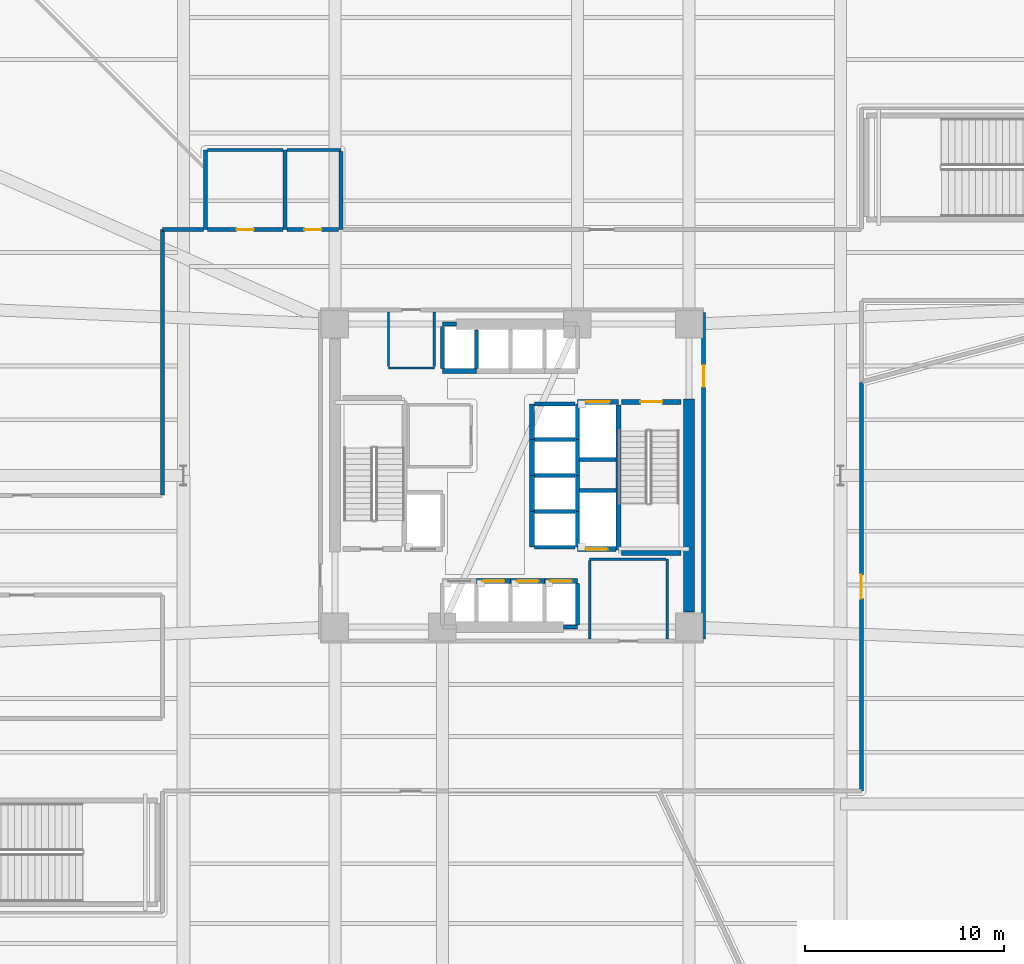
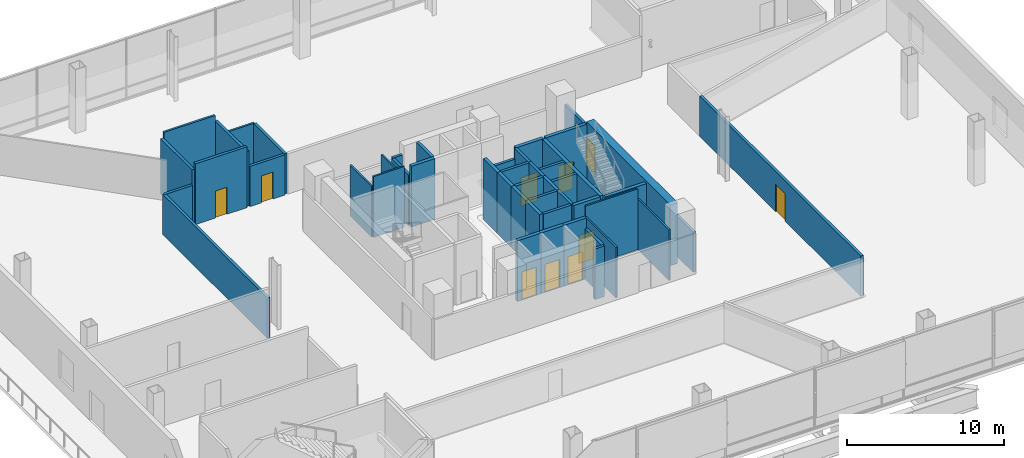
# One storey, part 11 of 20: 47 walls, 10 doors, 10 openings.
"""IFC4 building model written with IfcOpenShell, lengths in metres."""

from ifc_helpers import new_model, si_unit, direction, frame, frame_2d, origin, place, context, subcontext, project, spatial, rectangle, extrude, material, layer, layer_set, type_object, element, fill, save


model = new_model("IFC4")

# Units and contexts
model_context = context("Model", 3, precision=1e-05, world=origin(), true_north=direction((0.0, 1.0)))
body_context = subcontext(model_context, "Body", "Model", "MODEL_VIEW")
ifc_project = project(units=[si_unit("LENGTHUNIT", "METRE"), si_unit("AREAUNIT", "SQUARE_METRE"), si_unit("VOLUMEUNIT", "CUBIC_METRE"), si_unit("PLANEANGLEUNIT", "RADIAN"), si_unit("MASSUNIT", "GRAM", prefix="KILO")], contexts=[model_context])

# Site, building, storey
site_placement = place(None, origin())
site = spatial("IfcSite", under=ifc_project, at=site_placement, CompositionType="ELEMENT")
building_placement = place(site_placement, origin())
building = spatial("IfcBuilding", under=site, at=building_placement, Name="Tharavind Bronze Gate", CompositionType="ELEMENT")
storey_placement = place(building_placement, frame((0.0, 0.0, 16.5)))
storey = spatial("IfcBuildingStorey", under=building, at=storey_placement, Name="L03", CompositionType="ELEMENT", Elevation=16.5)

# Wall, opening, door
ifc_material_1 = material(Name="Aerated Concrete Block", Category="concrete")
ifc_layer_1 = layer(ifc_material_1, 0.199951171875)
ifc_layer_set_1 = layer_set([ifc_layer_1], Name="Aerated Concrete Block")
wall_type_1 = type_object("IfcWallType", Name="FIRE RATED PARTITION 200", PredefinedType="PARTITIONING", material=ifc_layer_set_1)
wall_1_placement = place(storey_placement, frame((9.6201171875, -8.199951171875, 0.0), z_axis=(0.0, 0.0, 1.0), x_axis=(0.0, 1.0, 0.0)))
wall_1 = element("IfcWall", 1, at=wall_1_placement, inside=storey, type_object=wall_type_1, Name="L03 east core corridor wall", PredefinedType="PARTITIONING", context=body_context, shape_type="SweptSolid", body=[
    extrude(rectangle(XDim=16.39990234375, YDim=0.199951171875, at=frame_2d((8.199951171875, 0.0))), origin(), (0.0, 0.0, 1.0), 3.135009765625),
])
opening_1_placement = place(wall_1_placement, frame((12.64990234375, 0.0, 0.0)))
opening_1 = element("IfcOpeningElement", 2, at=opening_1_placement, cuts=wall_1, Name="Opening ID01", PredefinedType="OPENING", context=body_context, shape_type="SweptSolid", body=[
    extrude(rectangle(XDim=1.10009765625, YDim=2.14990234375, at=frame_2d((0.550048828125, 1.074951171875))), frame((0.0, 0.11009765625, 0.0), z_axis=(0.0, -1.0, 0.0), x_axis=(1.0, 0.0, 0.0)), (0.0, 0.0, 1.0), 0.219951171875),
])
ifc_material_2 = material(Name="Fire-Rated Steel", Category="steel")
door_type_1 = type_object("IfcDoorType", Name="STAIR CORE FIRE DOOR 1100X2150", OperationType="SINGLE_SWING_LEFT", PredefinedType="DOOR", material=ifc_material_2)
door_1_placement = place(opening_1_placement, frame((1.10009765625, 0.0, 0.0), z_axis=(0.0, 0.0, 1.0), x_axis=(-1.0, 0.0, 0.0)))
door_1 = element("IfcDoor", 3, at=door_1_placement, inside=storey, type_object=door_type_1, Name="L03 north east stair lobby fire door", OperationType="SINGLE_SWING_LEFT", OverallHeight=2.14990234375, OverallWidth=1.10009765625, PredefinedType="DOOR", context=body_context, shape_type="SweptSolid", body=[
    extrude(rectangle(XDim=1.10009765625, YDim=2.14990234375, at=frame_2d((0.550048828125, 1.074951171875))), frame((0.0, 0.02490234375, 0.0), z_axis=(0.0, -1.0, 0.0), x_axis=(1.0, 0.0, 0.0)), (0.0, 0.0, 1.0), 0.050048828125),
])
fill(opening_1, door_1)

# Walls
wall_2_placement = place(storey_placement, frame((-11.39990234375, 12.35009765625, 0.0), z_axis=(0.0, 0.0, 1.0), x_axis=(0.0, 1.0, 0.0)))
element("IfcWall", 4, at=wall_2_placement, inside=storey, type_object=wall_type_1, Name="L03 Accessible Toilet partition", PredefinedType="PARTITIONING", context=body_context, shape_type="SweptSolid", body=[
    extrude(rectangle(XDim=4.0, YDim=0.199951171875, at=frame_2d((2.0, 0.0))), origin(), (0.0, 0.0, 1.0), 4.284912109375),
])
wall_3_placement = place(storey_placement, frame((-8.60009765625, 16.27001953125, 0.0), z_axis=(0.0, 0.0, 1.0), x_axis=(0.0, -1.0, 0.0)))
element("IfcWall", 5, at=wall_3_placement, inside=storey, type_object=wall_type_1, Name="L03 Accessible Toilet partition", PredefinedType="PARTITIONING", context=body_context, shape_type="SweptSolid", body=[
    extrude(rectangle(XDim=3.919921875, YDim=0.199951171875, at=frame_2d((1.9599609375, 0.0))), origin(), (0.0, 0.0, 1.0), 3.135009765625),
])

# Wall, opening, door
wall_4_placement = place(storey_placement, frame((-8.705078125, 12.35009765625, 0.0), z_axis=(0.0, 0.0, 1.0), x_axis=(-1.0, 0.0, 0.0)))
wall_4 = element("IfcWall", 6, at=wall_4_placement, inside=storey, type_object=wall_type_1, Name="L03 Accessible Toilet partition", PredefinedType="PARTITIONING", context=body_context, shape_type="SweptSolid", body=[
    extrude(rectangle(XDim=2.58984375, YDim=0.199951171875, at=frame_2d((1.294921875, 0.0))), origin(), (0.0, 0.0, 1.0), 3.135009765625),
])
opening_2_placement = place(wall_4_placement, frame((0.8701171875, 0.0, 0.0)))
opening_2 = element("IfcOpeningElement", 7, at=opening_2_placement, cuts=wall_4, Name="Opening ID06", PredefinedType="OPENING", context=body_context, shape_type="SweptSolid", body=[
    extrude(rectangle(XDim=0.85009765625, YDim=2.10009765625, at=frame_2d((0.425048828125, 1.050048828125))), frame((0.0, 0.11009765625, 0.0), z_axis=(0.0, -1.0, 0.0), x_axis=(1.0, 0.0, 0.0)), (0.0, 0.0, 1.0), 0.219951171875),
])
ifc_material_3 = material(Name="Moisture-Resistant Timber", Category="wood")
door_type_2 = type_object("IfcDoorType", Name="BATHROOM PRIVACY DOOR 850X2100", OperationType="SINGLE_SWING_RIGHT", PredefinedType="DOOR", material=ifc_material_3)
door_2_placement = place(opening_2_placement, origin())
door_2 = element("IfcDoor", 8, at=door_2_placement, inside=storey, type_object=door_type_2, Name="L03 Accessible Toilet door", OperationType="SINGLE_SWING_RIGHT", OverallHeight=2.10009765625, OverallWidth=0.85009765625, PredefinedType="DOOR", context=body_context, shape_type="SweptSolid", body=[
    extrude(rectangle(XDim=0.85009765625, YDim=2.10009765625, at=frame_2d((0.425048828125, 1.050048828125))), frame((0.0, 0.02490234375, 0.0), z_axis=(0.0, -1.0, 0.0), x_axis=(1.0, 0.0, 0.0)), (0.0, 0.0, 1.0), 0.050048828125),
])
fill(opening_2, door_2)

# Wall
wall_5_placement = place(storey_placement, frame((-15.39990234375, 12.35009765625, 0.0), z_axis=(0.0, 0.0, 1.0), x_axis=(0.0, 1.0, 0.0)))
element("IfcWall", 9, at=wall_5_placement, inside=storey, type_object=wall_type_1, Name="L03 Public Washroom partition", PredefinedType="PARTITIONING", context=body_context, shape_type="SweptSolid", body=[
    extrude(rectangle(XDim=4.0, YDim=0.199951171875, at=frame_2d((2.0, 0.0))), origin(), (0.0, 0.0, 1.0), 4.284912109375),
])

# Wall, opening, door
wall_6_placement = place(storey_placement, frame((-11.5048828125, 12.35009765625, 0.0), z_axis=(0.0, 0.0, 1.0), x_axis=(-1.0, 0.0, 0.0)))
wall_6 = element("IfcWall", 10, at=wall_6_placement, inside=storey, type_object=wall_type_1, Name="L03 Public Washroom partition", PredefinedType="PARTITIONING", context=body_context, shape_type="SweptSolid", body=[
    extrude(rectangle(XDim=3.7900390625, YDim=0.199951171875, at=frame_2d((1.89501953125, 0.0))), origin(), (0.0, 0.0, 1.0), 4.739990234375),
])
opening_3_placement = place(wall_6_placement, frame((1.469970703125, 0.0, 0.0)))
opening_3 = element("IfcOpeningElement", 11, at=opening_3_placement, cuts=wall_6, Name="Opening ID06", PredefinedType="OPENING", context=body_context, shape_type="SweptSolid", body=[
    extrude(rectangle(XDim=0.85009765625, YDim=2.10009765625, at=frame_2d((0.425048828125, 1.050048828125))), frame((0.0, 0.11009765625, 0.0), z_axis=(0.0, -1.0, 0.0), x_axis=(1.0, 0.0, 0.0)), (0.0, 0.0, 1.0), 0.219951171875),
])
door_3_placement = place(opening_3_placement, origin())
door_3 = element("IfcDoor", 12, at=door_3_placement, inside=storey, type_object=door_type_2, Name="L03 Public Washroom door", OperationType="SINGLE_SWING_RIGHT", OverallHeight=2.10009765625, OverallWidth=0.85009765625, PredefinedType="DOOR", context=body_context, shape_type="SweptSolid", body=[
    extrude(rectangle(XDim=0.85009765625, YDim=2.10009765625, at=frame_2d((0.425048828125, 1.050048828125))), frame((0.0, 0.02490234375, 0.0), z_axis=(0.0, -1.0, 0.0), x_axis=(1.0, 0.0, 0.0)), (0.0, 0.0, 1.0), 0.050048828125),
])
fill(opening_3, door_3)

# Walls
wall_7_placement = place(storey_placement, frame((-17.550048828125, 12.349365234375, 0.0), z_axis=(0.0, 0.0, 1.0), x_axis=(0.0, -1.0, 0.0)))
element("IfcWall", 13, at=wall_7_placement, inside=storey, type_object=wall_type_1, Name="L03 Banquet Plating Kitchen partition", PredefinedType="PARTITIONING", context=body_context, shape_type="SweptSolid", body=[
    extrude(rectangle(XDim=13.324462890625, YDim=0.199951171875, at=frame_2d((6.662109375, 0.0))), origin(), (0.0, 0.0, 1.0), 3.135009765625),
])
wall_8_placement = place(storey_placement, frame((-15.5048828125, 12.35009765625, 0.0), z_axis=(0.0, 0.0, 1.0), x_axis=(-1.0, 0.0, 0.0)))
element("IfcWall", 14, at=wall_8_placement, inside=storey, type_object=wall_type_1, Name="L03 Banquet Plating Kitchen partition", PredefinedType="PARTITIONING", context=body_context, shape_type="SweptSolid", body=[
    extrude(rectangle(XDim=2.04443359375, YDim=0.199951171875, at=frame_2d((1.022216796875, 0.0))), origin(), (0.0, 0.0, 1.0), 3.135009765625),
])

# Wall, opening, door
wall_9_placement = place(storey_placement, frame((17.550048828125, -15.849365234375, 0.0), z_axis=(0.0, 0.0, 1.0), x_axis=(0.0, 1.0, 0.0)))
wall_9 = element("IfcWall", 15, at=wall_9_placement, inside=storey, type_object=wall_type_1, Name="L03 Grand Pillar-Free Ballroom partition", PredefinedType="PARTITIONING", context=body_context, shape_type="SweptSolid", body=[
    extrude(rectangle(XDim=20.53271484375, YDim=0.199951171875, at=frame_2d((10.266357421875, 0.0))), origin(), (0.0, 0.0, 1.0), 3.135009765625),
])
opening_4_placement = place(wall_9_placement, frame((9.666015625, 0.0, 0.0)))
opening_4 = element("IfcOpeningElement", 16, at=opening_4_placement, cuts=wall_9, Name="Opening ID05", PredefinedType="OPENING", context=body_context, shape_type="SweptSolid", body=[
    extrude(rectangle(XDim=1.199951171875, YDim=2.14990234375, at=frame_2d((0.60009765625, 1.074951171875))), frame((0.0, 0.11009765625, 0.0), z_axis=(0.0, -1.0, 0.0), x_axis=(1.0, 0.0, 0.0)), (0.0, 0.0, 1.0), 0.219951171875),
])
ifc_material_4 = material(Name="Acoustic Laminated Glass", Category="glass")
door_type_3 = type_object("IfcDoorType", Name="MEETING ROOM GLAZED DOOR 1200X2150", OperationType="SINGLE_SWING_LEFT", PredefinedType="DOOR", material=ifc_material_4)
door_4_placement = place(opening_4_placement, origin())
door_4 = element("IfcDoor", 17, at=door_4_placement, inside=storey, type_object=door_type_3, Name="L03 Grand Pillar-Free Ballroom door", OperationType="SINGLE_SWING_LEFT", OverallHeight=2.14990234375, OverallWidth=1.199951171875, PredefinedType="DOOR", context=body_context, shape_type="SweptSolid", body=[
    extrude(rectangle(XDim=1.199951171875, YDim=2.14990234375, at=frame_2d((0.60009765625, 1.074951171875))), frame((0.0, 0.02490234375, 0.0), z_axis=(0.0, -1.0, 0.0), x_axis=(1.0, 0.0, 0.0)), (0.0, 0.0, 1.0), 0.050048828125),
])
fill(opening_4, door_4)

# Walls
ifc_material_5 = material(Name="Metal Stud Gypsum Partition", Category="gypsum")
ifc_layer_2 = layer(ifc_material_5, 0.1201171875)
ifc_layer_set_2 = layer_set([ifc_layer_2], Name="Metal Stud Gypsum Partition")
wall_type_2 = type_object("IfcWallType", Name="INTERIOR PARTITION WALL 120", PredefinedType="PARTITIONING", material=ifc_layer_set_2)
wall_10_placement = place(storey_placement, frame((-6.199951171875, 5.39990234375, 0.0), z_axis=(0.0, 0.0, 1.0), x_axis=(1.0, 0.0, 0.0)))
element("IfcWall", 18, at=wall_10_placement, inside=storey, type_object=wall_type_2, Name="L03 Electrical Switch Cupboard partition 1", PredefinedType="PARTITIONING", context=body_context, shape_type="SweptSolid", body=[
    extrude(rectangle(XDim=2.300048828125, YDim=0.1201171875, at=frame_2d((1.14990234375, 0.0))), origin(), (0.0, 0.0, 1.0), 4.739990234375),
])
for number, where, z_axis, x_axis, name in (
    (19, (-3.89990234375, 5.465087890625, 0.0), (0.0, 0.0, 1.0), (0.0, 1.0, 0.0), "L03 Electrical Switch Cupboard partition 2"),
    (20, (-6.199951171875, 8.215087890625, 0.0), (0.0, 0.0, 1.0), (0.0, -1.0, 0.0), "L03 Electrical Switch Cupboard partition 4"),
):
    element("IfcWall", number, at=place(storey_placement, frame(where, z_axis=z_axis, x_axis=x_axis)), inside=storey, type_object=wall_type_2, Name=name, PredefinedType="PARTITIONING", context=body_context, shape_type="SweptSolid", body=[
        extrude(rectangle(XDim=2.75, YDim=0.1201171875, at=frame_2d((1.375, 0.0))), origin(), (0.0, 0.0, 1.0), 3.93505859375),
    ])
wall_11_placement = place(storey_placement, frame((7.800048828125, -8.215087890625, 0.0), z_axis=(0.0, 0.0, 1.0), x_axis=(0.0, 1.0, 0.0)))
element("IfcWall", 21, at=wall_11_placement, inside=storey, type_object=wall_type_2, Name="L03 Telecom Metering Room partition 2", PredefinedType="PARTITIONING", context=body_context, shape_type="SweptSolid", body=[
    extrude(rectangle(XDim=4.01513671875, YDim=0.1201171875, at=frame_2d((2.007568359375, 0.0))), origin(), (0.0, 0.0, 1.0), 3.93505859375),
])
wall_12_placement = place(storey_placement, frame((7.735107421875, -4.199951171875, 0.0), z_axis=(0.0, 0.0, 1.0), x_axis=(-1.0, 0.0, 0.0)))
element("IfcWall", 22, at=wall_12_placement, inside=storey, type_object=wall_type_2, Name="L03 Telecom Metering Room partition 3", PredefinedType="PARTITIONING", context=body_context, shape_type="SweptSolid", body=[
    extrude(rectangle(XDim=3.835205078125, YDim=0.1201171875, at=frame_2d((1.91748046875, 0.0))), origin(), (0.0, 0.0, 1.0), 4.739990234375),
])
wall_13_placement = place(storey_placement, frame((3.89990234375, -4.264892578125, 0.0), z_axis=(0.0, 0.0, 1.0), x_axis=(0.0, -1.0, 0.0)))
element("IfcWall", 23, at=wall_13_placement, inside=storey, type_object=wall_type_2, Name="L03 Telecom Metering Room partition 4", PredefinedType="PARTITIONING", context=body_context, shape_type="SweptSolid", body=[
    extrude(rectangle(XDim=3.9501953125, YDim=0.1201171875, at=frame_2d((1.97509765625, 0.0))), origin(), (0.0, 0.0, 1.0), 3.93505859375),
])
ifc_material_6 = material(Name="Twin Stud Acoustic Gypsum", Category="gypsum")
ifc_layer_3 = layer(ifc_material_6, 0.14990234375)
ifc_layer_set_3 = layer_set([ifc_layer_3], Name="Twin Stud Acoustic Gypsum")
wall_type_3 = type_object("IfcWallType", Name="INTERIOR PARTITION WALL 150", PredefinedType="PARTITIONING", material=ifc_layer_set_3)
wall_14_placement = place(storey_placement, frame((-11.294921875, 16.35009765625, 0.0), z_axis=(0.0, 0.0, 1.0), x_axis=(1.0, 0.0, 0.0)))
element("IfcWall", 24, at=wall_14_placement, inside=storey, type_object=wall_type_3, Name="L03 Accessible Toilet partition", PredefinedType="PARTITIONING", context=body_context, shape_type="SweptSolid", body=[
    extrude(rectangle(XDim=2.69482421875, YDim=0.14990234375, at=frame_2d((1.347412109375, 0.0))), origin(), (0.0, 0.0, 1.0), 3.135009765625),
])
wall_15_placement = place(storey_placement, frame((-15.294921875, 16.35009765625, 0.0), z_axis=(0.0, 0.0, 1.0), x_axis=(1.0, 0.0, 0.0)))
element("IfcWall", 25, at=wall_15_placement, inside=storey, type_object=wall_type_3, Name="L03 Public Washroom partition", PredefinedType="PARTITIONING", context=body_context, shape_type="SweptSolid", body=[
    extrude(rectangle(XDim=3.7900390625, YDim=0.14990234375, at=frame_2d((1.89501953125, 0.0))), origin(), (0.0, 0.0, 1.0), 4.739990234375),
])
ifc_material_7 = material(Name="Concrete C50/60", Category="concrete")
ifc_layer_4 = layer(ifc_material_7, 0.25)
ifc_layer_set_4 = layer_set([ifc_layer_4], Name="Concrete C50/60")
wall_type_4 = type_object("IfcWallType", Name="RC CORE SHEAR WALL 250", PredefinedType="SHEAR", material=ifc_layer_set_4)
wall_16_placement = place(storey_placement, frame((5.35009765625, -3.75, 0.0), z_axis=(0.0, 0.0, 1.0), x_axis=(0.0, 1.0, 0.0)))
element("IfcWall", 26, at=wall_16_placement, inside=storey, type_object=wall_type_4, Name="L03 ST2 shaft west wall", PredefinedType="SHEAR", context=body_context, shape_type="SweptSolid", body=[
    extrude(rectangle(XDim=7.300048828125, YDim=0.25, at=frame_2d((3.64990234375, 0.0))), origin(), (0.0, 0.0, 1.0), 4.739990234375),
])

# Wall, opening, door
wall_17_placement = place(storey_placement, frame((5.5, 3.699951171875, 0.0), z_axis=(0.0, 0.0, 1.0), x_axis=(1.0, 0.0, 0.0)))
wall_17 = element("IfcWall", 27, at=wall_17_placement, inside=storey, type_object=wall_type_4, Name="L03 ST2 shaft north wall", PredefinedType="SHEAR", context=body_context, shape_type="SweptSolid", body=[
    extrude(rectangle(XDim=3.0, YDim=0.25, at=frame_2d((1.5, 0.0))), origin(), (0.0, 0.0, 1.0), 4.739990234375),
])
opening_5_placement = place(wall_17_placement, frame((0.949951171875, 0.0, 0.0)))
opening_5 = element("IfcOpeningElement", 28, at=opening_5_placement, cuts=wall_17, Name="Opening ID01", PredefinedType="OPENING", context=body_context, shape_type="SweptSolid", body=[
    extrude(rectangle(XDim=1.10009765625, YDim=2.14990234375, at=frame_2d((0.550048828125, 1.074951171875))), frame((0.0, 0.135, 0.0), z_axis=(0.0, -1.0, 0.0), x_axis=(1.0, 0.0, 0.0)), (0.0, 0.0, 1.0), 0.27),
])
door_5_placement = place(opening_5_placement, frame((1.10009765625, 0.0, 0.0), z_axis=(0.0, 0.0, 1.0), x_axis=(-1.0, 0.0, 0.0)))
door_5 = element("IfcDoor", 29, at=door_5_placement, inside=storey, type_object=door_type_1, Name="L03 exit stair ST2 fire door", OperationType="SINGLE_SWING_LEFT", OverallHeight=2.14990234375, OverallWidth=1.10009765625, PredefinedType="DOOR", context=body_context, shape_type="SweptSolid", body=[
    extrude(rectangle(XDim=1.10009765625, YDim=2.14990234375, at=frame_2d((0.550048828125, 1.074951171875))), frame((0.0, 0.02490234375, 0.0), z_axis=(0.0, -1.0, 0.0), x_axis=(1.0, 0.0, 0.0)), (0.0, 0.0, 1.0), 0.050048828125),
])
fill(opening_5, door_5)

# Wall
wall_18_placement = place(storey_placement, frame((5.5, -3.89990234375, 0.0), z_axis=(0.0, 0.0, 1.0), x_axis=(1.0, 0.0, 0.0)))
element("IfcWall", 30, at=wall_18_placement, inside=storey, type_object=wall_type_4, Name="L03 ST2 shaft south wall", PredefinedType="SHEAR", context=body_context, shape_type="SweptSolid", body=[
    extrude(rectangle(XDim=3.0, YDim=0.25, at=frame_2d((1.5, 0.0))), origin(), (0.0, 0.0, 1.0), 4.739990234375),
])

# Wall, opening, door
wall_19_placement = place(storey_placement, frame((-1.78759765625, -5.300048828125, 0.0), z_axis=(0.0, 0.0, 1.0), x_axis=(1.0, 0.0, 0.0)))
wall_19 = element("IfcWall", 31, at=wall_19_placement, inside=storey, type_object=wall_type_4, Name="L03 lift PL2 shaft front wall", PredefinedType="SHEAR", context=body_context, shape_type="SweptSolid", body=[
    extrude(rectangle(XDim=1.712646484375, YDim=0.25, at=frame_2d((0.8564453125, 0.0))), origin(), (0.0, 0.0, 1.0), 4.739990234375),
])
opening_6_placement = place(wall_19_placement, frame((0.305908203125, 0.0, 0.0)))
opening_6 = element("IfcOpeningElement", 32, at=opening_6_placement, cuts=wall_19, Name="Opening LD01", PredefinedType="OPENING", context=body_context, shape_type="SweptSolid", body=[
    extrude(rectangle(XDim=1.10009765625, YDim=2.199951171875, at=frame_2d((0.550048828125, 1.10009765625))), frame((0.0, 0.135, 0.0), z_axis=(0.0, -1.0, 0.0), x_axis=(1.0, 0.0, 0.0)), (0.0, 0.0, 1.0), 0.27),
])
ifc_material_8 = material(Name="Brushed Bronze Stainless Steel", Category="steel")
door_type_4 = type_object("IfcDoorType", Name="LIFT LANDING SLIDING DOOR 1100X2200", OperationType="SLIDING_TO_LEFT", PredefinedType="DOOR", material=ifc_material_8)
door_6_placement = place(opening_6_placement, origin())
door_6 = element("IfcDoor", 33, at=door_6_placement, inside=storey, type_object=door_type_4, Name="L03 lift PL2 sliding landing door", OperationType="SLIDING_TO_LEFT", OverallHeight=2.199951171875, OverallWidth=1.10009765625, PredefinedType="DOOR", context=body_context, shape_type="SweptSolid", body=[
    extrude(rectangle(XDim=1.10009765625, YDim=2.199951171875, at=frame_2d((0.550048828125, 1.10009765625))), frame((0.0, 0.02490234375, 0.0), z_axis=(0.0, -1.0, 0.0), x_axis=(1.0, 0.0, 0.0)), (0.0, 0.0, 1.0), 0.050048828125),
])
fill(opening_6, door_6)

wall_20_placement = place(storey_placement, frame((-0.074951171875, -5.300048828125, 0.0), z_axis=(0.0, 0.0, 1.0), x_axis=(1.0, 0.0, 0.0)))
wall_20 = element("IfcWall", 34, at=wall_20_placement, inside=storey, type_object=wall_type_4, Name="L03 lift PL3 shaft front wall", PredefinedType="SHEAR", context=body_context, shape_type="SweptSolid", body=[
    extrude(rectangle(XDim=1.71240234375, YDim=0.25, at=frame_2d((0.856201171875, 0.0))), origin(), (0.0, 0.0, 1.0), 4.739990234375),
])
opening_7_placement = place(wall_20_placement, frame((0.305908203125, 0.0, 0.0)))
opening_7 = element("IfcOpeningElement", 35, at=opening_7_placement, cuts=wall_20, Name="Opening LD01", PredefinedType="OPENING", context=body_context, shape_type="SweptSolid", body=[
    extrude(rectangle(XDim=1.10009765625, YDim=2.199951171875, at=frame_2d((0.550048828125, 1.10009765625))), frame((0.0, 0.135, 0.0), z_axis=(0.0, -1.0, 0.0), x_axis=(1.0, 0.0, 0.0)), (0.0, 0.0, 1.0), 0.27),
])
door_7_placement = place(opening_7_placement, origin())
door_7 = element("IfcDoor", 36, at=door_7_placement, inside=storey, type_object=door_type_4, Name="L03 lift PL3 sliding landing door", OperationType="SLIDING_TO_LEFT", OverallHeight=2.199951171875, OverallWidth=1.10009765625, PredefinedType="DOOR", context=body_context, shape_type="SweptSolid", body=[
    extrude(rectangle(XDim=1.10009765625, YDim=2.199951171875, at=frame_2d((0.550048828125, 1.10009765625))), frame((0.0, 0.02490234375, 0.0), z_axis=(0.0, -1.0, 0.0), x_axis=(1.0, 0.0, 0.0)), (0.0, 0.0, 1.0), 0.050048828125),
])
fill(opening_7, door_7)

wall_21_placement = place(storey_placement, frame((1.637451171875, -5.300048828125, 0.0), z_axis=(0.0, 0.0, 1.0), x_axis=(1.0, 0.0, 0.0)))
wall_21 = element("IfcWall", 37, at=wall_21_placement, inside=storey, type_object=wall_type_4, Name="L03 lift PL4 shaft front wall", PredefinedType="SHEAR", context=body_context, shape_type="SweptSolid", body=[
    extrude(rectangle(XDim=1.642578125, YDim=0.25, at=frame_2d((0.8212890625, 0.0))), origin(), (0.0, 0.0, 1.0), 4.739990234375),
])
opening_8_placement = place(wall_21_placement, frame((0.27099609375, 0.0, 0.0)))
opening_8 = element("IfcOpeningElement", 38, at=opening_8_placement, cuts=wall_21, Name="Opening LD01", PredefinedType="OPENING", context=body_context, shape_type="SweptSolid", body=[
    extrude(rectangle(XDim=1.10009765625, YDim=2.199951171875, at=frame_2d((0.550048828125, 1.10009765625))), frame((0.0, 0.135, 0.0), z_axis=(0.0, -1.0, 0.0), x_axis=(1.0, 0.0, 0.0)), (0.0, 0.0, 1.0), 0.27),
])
door_8_placement = place(opening_8_placement, origin())
door_8 = element("IfcDoor", 39, at=door_8_placement, inside=storey, type_object=door_type_4, Name="L03 lift PL4 sliding landing door", OperationType="SLIDING_TO_LEFT", OverallHeight=2.199951171875, OverallWidth=1.10009765625, PredefinedType="DOOR", context=body_context, shape_type="SweptSolid", body=[
    extrude(rectangle(XDim=1.10009765625, YDim=2.199951171875, at=frame_2d((0.550048828125, 1.10009765625))), frame((0.0, 0.02490234375, 0.0), z_axis=(0.0, -1.0, 0.0), x_axis=(1.0, 0.0, 0.0)), (0.0, 0.0, 1.0), 0.050048828125),
])
fill(opening_8, door_8)

# Walls
wall_22_placement = place(storey_placement, frame((-3.5, 5.25, 0.0), z_axis=(0.0, 0.0, 1.0), x_axis=(1.0, 0.0, 0.0)))
element("IfcWall", 40, at=wall_22_placement, inside=storey, type_object=wall_type_4, Name="L03 lift PL5 shaft front wall", PredefinedType="SHEAR", context=body_context, shape_type="SweptSolid", body=[
    extrude(rectangle(XDim=1.71240234375, YDim=0.25, at=frame_2d((0.856201171875, 0.0))), origin(), (0.0, 0.0, 1.0), 4.739990234375),
])
for number, where, z_axis, x_axis, name in (
    (41, (1.0, -3.60009765625, 0.0), (0.0, 0.0, 1.0), (0.0, 1.0, 0.0), "L03 lift PL9 shaft front wall"),
    (42, (1.0, -1.800048828125, 0.0), (0.0, 0.0, 1.0), (0.0, 1.0, 0.0), "L03 lift PL10 shaft front wall"),
    (43, (1.0, 0.0, 0.0), (0.0, 0.0, 1.0), (0.0, 1.0, 0.0), "L03 lift PL11 shaft front wall"),
    (44, (1.0, 1.800048828125, 0.0), (0.0, 0.0, 1.0), (0.0, 1.0, 0.0), "L03 lift PL12 shaft front wall"),
):
    element("IfcWall", number, at=place(storey_placement, frame(where, z_axis=z_axis, x_axis=x_axis)), inside=storey, type_object=wall_type_4, Name=name, PredefinedType="SHEAR", context=body_context, shape_type="SweptSolid", body=[
        extrude(rectangle(XDim=1.800048828125, YDim=0.25, at=frame_2d((0.89990234375, 0.0))), origin(), (0.0, 0.0, 1.0), 4.739990234375),
    ])

# Wall, opening, door
wall_23_placement = place(storey_placement, frame((3.280029296875, 3.699951171875, 0.0), z_axis=(0.0, 0.0, 1.0), x_axis=(1.0, 0.0, 0.0)))
wall_23 = element("IfcWall", 45, at=wall_23_placement, inside=storey, type_object=wall_type_4, Name="L03 lift FFL2 shaft front wall", PredefinedType="SHEAR", context=body_context, shape_type="SweptSolid", body=[
    extrude(rectangle(XDim=2.070068359375, YDim=0.25, at=frame_2d((1.03515625, 0.0))), origin(), (0.0, 0.0, 1.0), 4.739990234375),
])
opening_9_placement = place(wall_23_placement, frame((0.43505859375, 0.0, 0.0)))
opening_9 = element("IfcOpeningElement", 46, at=opening_9_placement, cuts=wall_23, Name="Opening LD02", PredefinedType="OPENING", context=body_context, shape_type="SweptSolid", body=[
    extrude(rectangle(XDim=1.199951171875, YDim=2.199951171875, at=frame_2d((0.60009765625, 1.10009765625))), frame((0.0, 0.135, 0.0), z_axis=(0.0, -1.0, 0.0), x_axis=(1.0, 0.0, 0.0)), (0.0, 0.0, 1.0), 0.27),
])
ifc_material_9 = material(Name="Brushed Stainless Steel", Category="steel")
door_type_5 = type_object("IfcDoorType", Name="FIREFIGHTING LIFT LANDING DOOR 1200X2200", OperationType="SLIDING_TO_RIGHT", PredefinedType="DOOR", material=ifc_material_9)
door_9_placement = place(opening_9_placement, origin())
door_9 = element("IfcDoor", 47, at=door_9_placement, inside=storey, type_object=door_type_5, Name="L03 lift FFL2 sliding landing door", OperationType="SLIDING_TO_RIGHT", OverallHeight=2.199951171875, OverallWidth=1.199951171875, PredefinedType="DOOR", context=body_context, shape_type="SweptSolid", body=[
    extrude(rectangle(XDim=1.199951171875, YDim=2.199951171875, at=frame_2d((0.60009765625, 1.10009765625))), frame((0.0, 0.02490234375, 0.0), z_axis=(0.0, -1.0, 0.0), x_axis=(1.0, 0.0, 0.0)), (0.0, 0.0, 1.0), 0.050048828125),
])
fill(opening_9, door_9)

wall_24_placement = place(storey_placement, frame((3.280029296875, -3.699951171875, 0.0), z_axis=(0.0, 0.0, 1.0), x_axis=(1.0, 0.0, 0.0)))
wall_24 = element("IfcWall", 48, at=wall_24_placement, inside=storey, type_object=wall_type_4, Name="L03 lift SVL1 shaft front wall", PredefinedType="SHEAR", context=body_context, shape_type="SweptSolid", body=[
    extrude(rectangle(XDim=1.93994140625, YDim=0.25, at=frame_2d((0.969970703125, 0.0))), origin(), (0.0, 0.0, 1.0), 4.739990234375),
])
opening_10_placement = place(wall_24_placement, frame((0.419921875, 0.0, 0.0)))
opening_10 = element("IfcOpeningElement", 49, at=opening_10_placement, cuts=wall_24, Name="Opening LD01", PredefinedType="OPENING", context=body_context, shape_type="SweptSolid", body=[
    extrude(rectangle(XDim=1.10009765625, YDim=2.199951171875, at=frame_2d((0.550048828125, 1.10009765625))), frame((0.0, 0.135, 0.0), z_axis=(0.0, -1.0, 0.0), x_axis=(1.0, 0.0, 0.0)), (0.0, 0.0, 1.0), 0.27),
])
door_10_placement = place(opening_10_placement, origin())
door_10 = element("IfcDoor", 50, at=door_10_placement, inside=storey, type_object=door_type_4, Name="L03 lift SVL1 sliding landing door", OperationType="SLIDING_TO_LEFT", OverallHeight=2.199951171875, OverallWidth=1.10009765625, PredefinedType="DOOR", context=body_context, shape_type="SweptSolid", body=[
    extrude(rectangle(XDim=1.10009765625, YDim=2.199951171875, at=frame_2d((0.550048828125, 1.10009765625))), frame((0.0, 0.02490234375, 0.0), z_axis=(0.0, -1.0, 0.0), x_axis=(1.0, 0.0, 0.0)), (0.0, 0.0, 1.0), 0.050048828125),
])
fill(opening_10, door_10)

# Walls
ifc_material_10 = material(Name="Concrete C60/75", Category="concrete")
ifc_layer_5 = layer(ifc_material_10, 0.550048828125)
ifc_layer_set_5 = layer_set([ifc_layer_5], Name="Concrete C60/75")
wall_type_5 = type_object("IfcWallType", Name="RC CORE SHEAR WALL 550", PredefinedType="SHEAR", material=ifc_layer_set_5)
wall_25_placement = place(storey_placement, frame((8.89990234375, -6.85009765625, 0.0), z_axis=(0.0, 0.0, 1.0), x_axis=(0.0, 1.0, 0.0)))
element("IfcWall", 51, at=wall_25_placement, inside=storey, type_object=wall_type_5, Name="L03 east core shear wall", PredefinedType="SHEAR", context=body_context, shape_type="SweptSolid", body=[
    extrude(rectangle(XDim=10.7001953125, YDim=0.550048828125, at=frame_2d((5.35009765625, 0.0))), origin(), (0.0, 0.0, 1.0), 4.739990234375),
])
ifc_material_11 = material(Name="Concrete C40/50", Category="concrete")
ifc_layer_6 = layer(ifc_material_11, 0.199951171875)
ifc_layer_set_6 = layer_set([ifc_layer_6], Name="Concrete C40/50")
wall_type_6 = type_object("IfcWallType", Name="SHAFT ENCLOSURE WALL 200", PredefinedType="PARTITIONING", material=ifc_layer_set_6)
wall_26_placement = place(storey_placement, frame((2.580078125, -7.60009765625, 0.0), z_axis=(0.0, 0.0, 1.0), x_axis=(1.0, 0.0, 0.0)))
element("IfcWall", 52, at=wall_26_placement, inside=storey, type_object=wall_type_6, Name="L03 lift PL4 shaft S enclosure wall", PredefinedType="PARTITIONING", context=body_context, shape_type="SweptSolid", body=[
    extrude(rectangle(XDim=0.699951171875, YDim=0.199951171875, at=frame_2d((0.35009765625, 0.0))), origin(), (0.0, 0.0, 1.0), 3.93505859375),
])
wall_27_placement = place(storey_placement, frame((3.280029296875, -7.4951171875, 0.0), z_axis=(0.0, 0.0, 1.0), x_axis=(0.0, 1.0, 0.0)))
element("IfcWall", 53, at=wall_27_placement, inside=storey, type_object=wall_type_6, Name="L03 lift PL4 shaft E enclosure wall", PredefinedType="PARTITIONING", context=body_context, shape_type="SweptSolid", body=[
    extrude(rectangle(XDim=2.065185546875, YDim=0.199951171875, at=frame_2d((1.03271484375, 0.0))), origin(), (0.0, 0.0, 1.0), 3.93505859375),
])
wall_28_placement = place(storey_placement, frame((-3.5, 7.60009765625, 0.0), z_axis=(0.0, 0.0, 1.0), x_axis=(1.0, 0.0, 0.0)))
element("IfcWall", 54, at=wall_28_placement, inside=storey, type_object=wall_type_6, Name="L03 lift PL5 shaft N enclosure wall", PredefinedType="PARTITIONING", context=body_context, shape_type="SweptSolid", body=[
    extrude(rectangle(XDim=0.699951171875, YDim=0.199951171875, at=frame_2d((0.35009765625, 0.0))), origin(), (0.0, 0.0, 1.0), 3.93505859375),
])
wall_29_placement = place(storey_placement, frame((-3.5, 5.3798828125, 0.0), z_axis=(0.0, 0.0, 1.0), x_axis=(0.0, 1.0, 0.0)))
element("IfcWall", 55, at=wall_29_placement, inside=storey, type_object=wall_type_6, Name="L03 lift PL5 shaft W enclosure wall", PredefinedType="PARTITIONING", context=body_context, shape_type="SweptSolid", body=[
    extrude(rectangle(XDim=2.115234375, YDim=0.199951171875, at=frame_2d((1.0576171875, 0.0))), origin(), (0.0, 0.0, 1.0), 3.93505859375),
])
wall_30_placement = place(storey_placement, frame((-1.78759765625, 5.3798828125, 0.0), z_axis=(0.0, 0.0, 1.0), x_axis=(0.0, 1.0, 0.0)))
element("IfcWall", 56, at=wall_30_placement, inside=storey, type_object=wall_type_6, Name="L03 lift PL5 shaft E enclosure wall", PredefinedType="PARTITIONING", context=body_context, shape_type="SweptSolid", body=[
    extrude(rectangle(XDim=1.940185546875, YDim=0.199951171875, at=frame_2d((0.97021484375, 0.0))), origin(), (0.0, 0.0, 1.0), 4.739990234375),
])
wall_31_placement = place(storey_placement, frame((3.280029296875, -3.60009765625, 0.0), z_axis=(0.0, 0.0, 1.0), x_axis=(0.0, 1.0, 0.0)))
element("IfcWall", 57, at=wall_31_placement, inside=storey, type_object=wall_type_6, Name="L03 lift PL9 shaft E enclosure wall", PredefinedType="PARTITIONING", context=body_context, shape_type="SweptSolid", body=[
    extrude(rectangle(XDim=1.800048828125, YDim=0.199951171875, at=frame_2d((0.89990234375, 0.0))), origin(), (0.0, 0.0, 1.0), 4.739990234375),
])
for number, where, z_axis, x_axis, name in (
    (58, (1.1298828125, -3.60009765625, 0.0), (0.0, 0.0, 1.0), (1.0, 0.0, 0.0), "L03 lift PL9 shaft S enclosure wall"),
    (59, (1.1298828125, -1.800048828125, 0.0), (0.0, 0.0, 1.0), (1.0, 0.0, 0.0), "L03 lift PL9 shaft N enclosure wall"),
):
    element("IfcWall", number, at=place(storey_placement, frame(where, z_axis=z_axis, x_axis=x_axis)), inside=storey, type_object=wall_type_6, Name=name, PredefinedType="PARTITIONING", context=body_context, shape_type="SweptSolid", body=[
        extrude(rectangle(XDim=2.045166015625, YDim=0.199951171875, at=frame_2d((1.0224609375, 0.0))), origin(), (0.0, 0.0, 1.0), 4.739990234375),
    ])
wall_32_placement = place(storey_placement, frame((3.280029296875, -1.800048828125, 0.0), z_axis=(0.0, 0.0, 1.0), x_axis=(0.0, 1.0, 0.0)))
element("IfcWall", 60, at=wall_32_placement, inside=storey, type_object=wall_type_6, Name="L03 lift PL10 shaft E enclosure wall", PredefinedType="PARTITIONING", context=body_context, shape_type="SweptSolid", body=[
    extrude(rectangle(XDim=1.800048828125, YDim=0.199951171875, at=frame_2d((0.89990234375, 0.0))), origin(), (0.0, 0.0, 1.0), 4.739990234375),
])
wall_33_placement = place(storey_placement, frame((1.1298828125, 0.0, 0.0), z_axis=(0.0, 0.0, 1.0), x_axis=(1.0, 0.0, 0.0)))
element("IfcWall", 61, at=wall_33_placement, inside=storey, type_object=wall_type_6, Name="L03 lift PL10 shaft N enclosure wall", PredefinedType="PARTITIONING", context=body_context, shape_type="SweptSolid", body=[
    extrude(rectangle(XDim=2.045166015625, YDim=0.199951171875, at=frame_2d((1.0224609375, 0.0))), origin(), (0.0, 0.0, 1.0), 4.739990234375),
])
wall_34_placement = place(storey_placement, frame((3.280029296875, 0.0, 0.0), z_axis=(0.0, 0.0, 1.0), x_axis=(0.0, 1.0, 0.0)))
element("IfcWall", 62, at=wall_34_placement, inside=storey, type_object=wall_type_6, Name="L03 lift PL11 shaft E enclosure wall", PredefinedType="PARTITIONING", context=body_context, shape_type="SweptSolid", body=[
    extrude(rectangle(XDim=1.800048828125, YDim=0.199951171875, at=frame_2d((0.89990234375, 0.0))), origin(), (0.0, 0.0, 1.0), 4.739990234375),
])
wall_35_placement = place(storey_placement, frame((1.1298828125, 1.800048828125, 0.0), z_axis=(0.0, 0.0, 1.0), x_axis=(1.0, 0.0, 0.0)))
element("IfcWall", 63, at=wall_35_placement, inside=storey, type_object=wall_type_6, Name="L03 lift PL11 shaft N enclosure wall", PredefinedType="PARTITIONING", context=body_context, shape_type="SweptSolid", body=[
    extrude(rectangle(XDim=2.045166015625, YDim=0.199951171875, at=frame_2d((1.0224609375, 0.0))), origin(), (0.0, 0.0, 1.0), 4.739990234375),
])
wall_36_placement = place(storey_placement, frame((3.280029296875, 1.800048828125, 0.0), z_axis=(0.0, 0.0, 1.0), x_axis=(0.0, 1.0, 0.0)))
element("IfcWall", 64, at=wall_36_placement, inside=storey, type_object=wall_type_6, Name="L03 lift PL12 shaft E enclosure wall", PredefinedType="PARTITIONING", context=body_context, shape_type="SweptSolid", body=[
    extrude(rectangle(XDim=1.800048828125, YDim=0.199951171875, at=frame_2d((0.89990234375, 0.0))), origin(), (0.0, 0.0, 1.0), 4.739990234375),
])
wall_37_placement = place(storey_placement, frame((1.1298828125, 3.60009765625, 0.0), z_axis=(0.0, 0.0, 1.0), x_axis=(1.0, 0.0, 0.0)))
element("IfcWall", 65, at=wall_37_placement, inside=storey, type_object=wall_type_6, Name="L03 lift PL12 shaft N enclosure wall", PredefinedType="PARTITIONING", context=body_context, shape_type="SweptSolid", body=[
    extrude(rectangle(XDim=2.045166015625, YDim=0.199951171875, at=frame_2d((1.0224609375, 0.0))), origin(), (0.0, 0.0, 1.0), 3.93505859375),
])
for number, where, z_axis, x_axis, name in (
    (66, (3.385009765625, 0.800048828125, 0.0), (0.0, 0.0, 1.0), (1.0, 0.0, 0.0), "L03 lift FFL2 shaft S enclosure wall"),
    (67, (3.385009765625, -0.75, 0.0), (0.0, 0.0, 1.0), (1.0, 0.0, 0.0), "L03 lift SVL1 shaft N enclosure wall"),
):
    element("IfcWall", number, at=place(storey_placement, frame(where, z_axis=z_axis, x_axis=x_axis)), inside=storey, type_object=wall_type_6, Name=name, PredefinedType="PARTITIONING", context=body_context, shape_type="SweptSolid", body=[
        extrude(rectangle(XDim=1.8349609375, YDim=0.199951171875, at=frame_2d((0.91748046875, 0.0))), origin(), (0.0, 0.0, 1.0), 4.739990234375),
    ])

save(model, "model.ifc")
